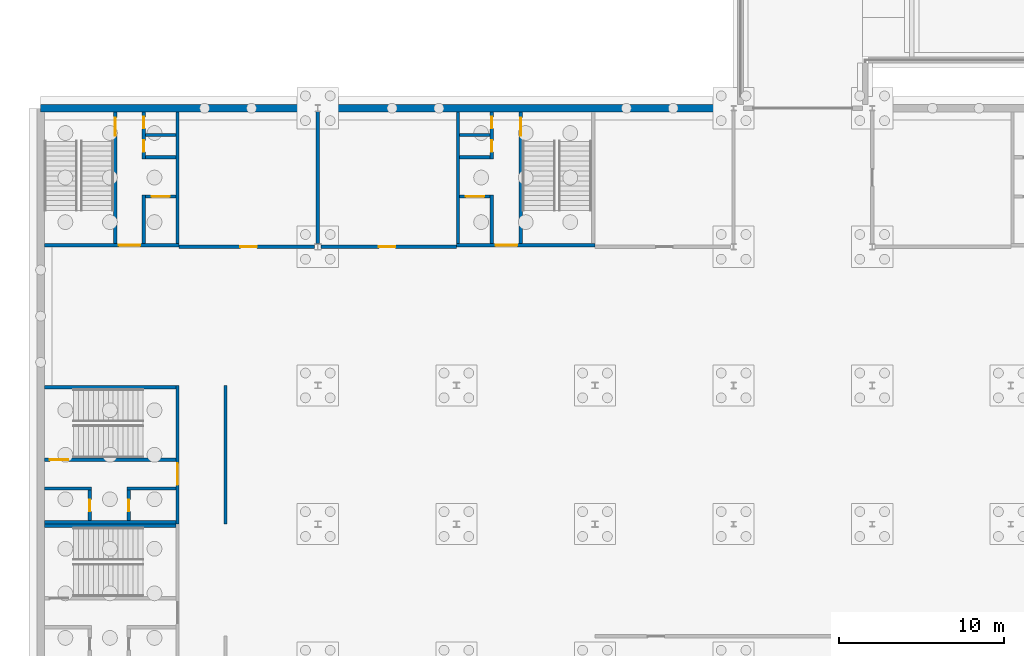
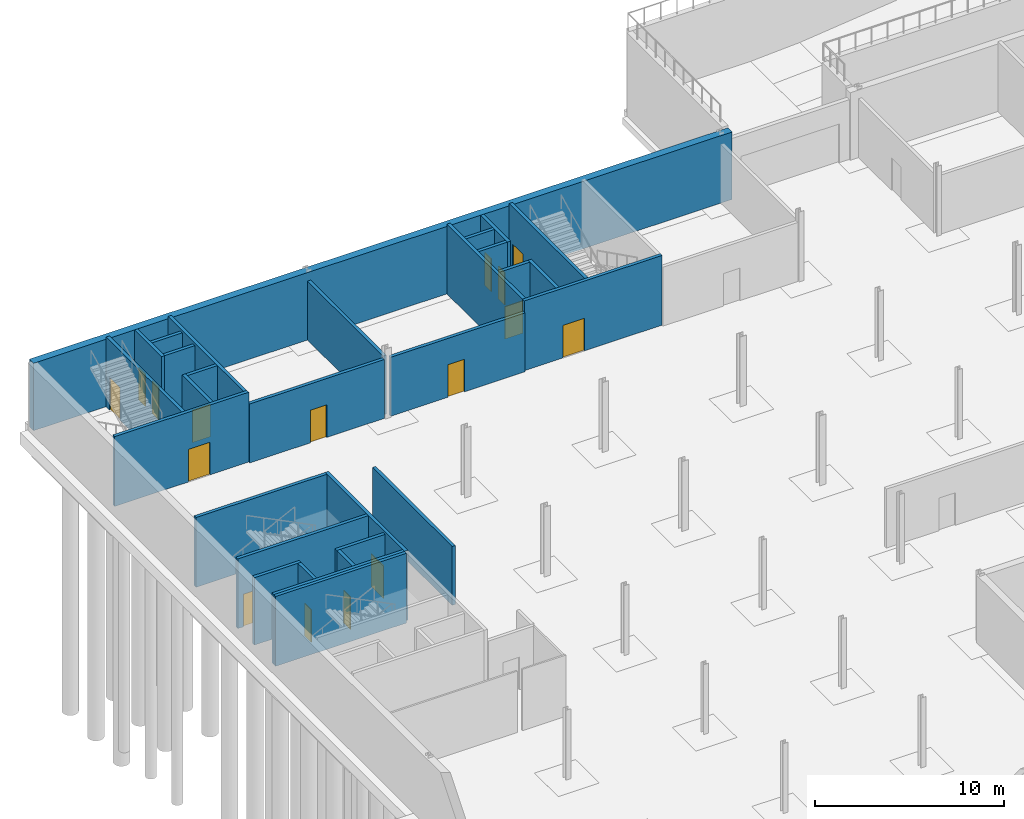
# One storey, part 26 of 35: 30 walls, 16 doors, 16 openings.
"""IFC4 building model written with IfcOpenShell, lengths in metres."""

import ifcopenshell
import ifcopenshell.guid

model = None  # the IFC model being written
_history = None  # IfcOwnerHistory: only IFC2X3 demands one
_inside = {}  # id of a spatial element -> (the spatial element, [elements in it])
_under = {}  # id of a project, library or spatial element -> (it, [spatial elements below it])
_declared = {}  # id of a project -> (the project, [libraries it declares])
_typed = {}  # id of a type object -> (the type object, [elements of that type])
_made_of = {}  # id of a material, layer set ... -> (it, [elements and type objects made of it])


def new_model(schema):
    """Start an empty IFC model of exactly this schema.

    Asked for "IFC4X3", IfcOpenShell would pick the latest addendum, in which some entities
    have other attributes; the version numbers below select the first issue.
    IFC2X3 requires an IfcOwnerHistory on every rooted entity: one is made here for all.
    """
    global model, _history
    if schema == "IFC4X3":
        model = ifcopenshell.file(schema_version=(4, 3, 0, 0))
    else:
        model = ifcopenshell.file(schema=schema)
    _inside.clear()
    _under.clear()
    _declared.clear()
    _typed.clear()
    _made_of.clear()
    _history = None
    if model.schema == "IFC2X3":
        org = make("IfcOrganization", Name="unknown")
        user = make(
            "IfcPersonAndOrganization",
            ThePerson=make("IfcPerson", FamilyName="unknown"),
            TheOrganization=org,
        )
        app = make(
            "IfcApplication",
            ApplicationDeveloper=org,
            Version="unknown",
            ApplicationFullName="unknown",
            ApplicationIdentifier="unknown",
        )
        _history = make(
            "IfcOwnerHistory",
            OwningUser=user,
            OwningApplication=app,
            ChangeAction="ADDED",
            CreationDate=0,
        )
    return model


def make(cls, **values):
    """One entity of the class cls with the attributes given. An attribute that is None is left unset."""
    return model.create_entity(
        cls, **{name: value for name, value in values.items() if value is not None}
    )


def rooted(cls, **values):
    """An entity with a GlobalId (a new one), such as an element, a storey or a relation."""
    return make(cls, GlobalId=ifcopenshell.guid.new(), OwnerHistory=_history, **values)


def si_unit(unit_type, name, prefix=None):
    """IfcSIUnit, for example si_unit("LENGTHUNIT", "METRE", prefix="MILLI")."""
    return make("IfcSIUnit", UnitType=unit_type, Prefix=prefix, Name=name)


def assignment(units):
    """IfcUnitAssignment: the units of a project."""
    return None if units is None else make("IfcUnitAssignment", Units=units)


def point(xyz):
    """IfcCartesianPoint."""
    return None if xyz is None else make("IfcCartesianPoint", Coordinates=xyz)


def direction(xyz):
    """IfcDirection."""
    return None if xyz is None else make("IfcDirection", DirectionRatios=xyz)


def frame(location, z_axis=None, x_axis=None):
    """IfcAxis2Placement3D, a coordinate frame: its origin and axes. An axis left out is left unset."""
    return make(
        "IfcAxis2Placement3D",
        Location=point(location),
        Axis=direction(z_axis),
        RefDirection=direction(x_axis),
    )


def frame_2d(location, x_axis=None):
    """IfcAxis2Placement2D, a coordinate frame in the plane: its origin and x axis."""
    return make(
        "IfcAxis2Placement2D", Location=point(location), RefDirection=direction(x_axis)
    )


def origin():
    """The frame at (0, 0, 0) with its axes left unset."""
    return frame((0.0, 0.0, 0.0))


def place(relative_to, where):
    """IfcLocalPlacement: puts the frame where relative to a parent placement (None: the world)."""
    return make(
        "IfcLocalPlacement", PlacementRelTo=relative_to, RelativePlacement=where
    )


def context(
    kind, dimensions, precision=None, world=None, true_north=None, identifier=None
):
    """IfcGeometricRepresentationContext, for example the 3D "Model" context."""
    return make(
        "IfcGeometricRepresentationContext",
        ContextIdentifier=identifier,
        ContextType=kind,
        CoordinateSpaceDimension=dimensions,
        Precision=precision,
        WorldCoordinateSystem=world,
        TrueNorth=true_north,
    )


def subcontext(parent, identifier, kind, view, scale=None):
    """IfcGeometricRepresentationSubContext, for example "Body" below "Model"."""
    return make(
        "IfcGeometricRepresentationSubContext",
        ContextIdentifier=identifier,
        ContextType=kind,
        ParentContext=parent,
        TargetScale=scale,
        TargetView=view,
    )


def project(units=None, contexts=None):
    """IfcProject with its units and contexts."""
    return rooted(
        "IfcProject",
        Name="project",
        RepresentationContexts=contexts,
        UnitsInContext=assignment(units),
    )


def spatial(cls, under=None, at=None, **own):
    """A site, building, storey or space (cls), placed at a placement, below another one or the project."""
    s = rooted(cls, ObjectPlacement=at, **own)
    if under is not None:
        _under.setdefault(under.id(), (under, []))[1].append(s)
    return s


def profile(cls, at=None, kind="AREA", **sizes):
    """A parametric profile (cls). Its sizes go by their IFC names, for example OverallWidth=200.0."""
    return make(cls, ProfileType=kind, Position=at, **sizes)


def rectangle(**sizes):
    """IfcRectangleProfileDef."""
    return profile("IfcRectangleProfileDef", **sizes)


def extrude(swept, where, along, depth):
    """IfcExtrudedAreaSolid: the profile swept, set in the frame where, extruded along a direction by depth."""
    return make(
        "IfcExtrudedAreaSolid",
        SweptArea=swept,
        Position=where,
        ExtrudedDirection=direction(along),
        Depth=depth,
    )


def shape(context_of_items, identifier, shape_type, items):
    """IfcShapeRepresentation: the items that make up one representation, for example the "Body"."""
    return make(
        "IfcShapeRepresentation",
        ContextOfItems=context_of_items,
        RepresentationIdentifier=identifier,
        RepresentationType=shape_type,
        Items=items,
    )


def material(Name=None, Category=None):
    """IfcMaterial."""
    return make("IfcMaterial", Name=Name, Category=Category)


def layer(
    of_material, thickness, ventilated=None, Name=None, Category=None, Priority=None
):
    """IfcMaterialLayer: one layer of a wall or slab, of a material (None: an air gap)."""
    return make(
        "IfcMaterialLayer",
        Material=of_material,
        LayerThickness=thickness,
        IsVentilated=ventilated,
        Name=Name,
        Category=Category,
        Priority=Priority,
    )


def layer_set(layers, Name=None):
    """IfcMaterialLayerSet."""
    return make("IfcMaterialLayerSet", MaterialLayers=layers, LayerSetName=Name)


def made_of(thing, what):
    """Note that an element or type object is made of a material, layer set ...; save() writes the relation."""
    if what is not None:
        _made_of.setdefault(what.id(), (what, []))[1].append(thing)
    return thing


def type_object(cls, material=None, **own):
    """A type object (cls), such as IfcWallType, which elements share."""
    return made_of(rooted(cls, **own), material)


def element(
    cls,
    number,
    at=None,
    inside=None,
    cuts=None,
    type_object=None,
    material=None,
    context=None,
    identifier="Body",
    shape_type=None,
    held_by="IfcProductDefinitionShape",
    body=None,
    shapes=None,
    **own,
):
    """One element of the class cls, such as IfcWall. Its Tag is "e" and its number.

    at: its placement. inside: the storey or other place that contains it. cuts: it is an
    opening in that element (IfcRelVoidsElement). A single representation is given by context,
    identifier, shape_type and body (its items); several are given by shapes. held_by: the class
    of the entity that holds the representations. save() writes the other relations.
    """
    e = rooted(cls, Tag="e%d" % number, ObjectPlacement=at, **own)
    if body is not None:
        shapes = [shape(context, identifier, shape_type, body)]
    if shapes is not None:
        e.Representation = make(held_by, Representations=shapes)
    if inside is not None:
        _inside.setdefault(inside.id(), (inside, []))[1].append(e)
    if cuts is not None:
        rooted(
            "IfcRelVoidsElement", RelatingBuildingElement=cuts, RelatedOpeningElement=e
        )
    if type_object is not None:
        _typed.setdefault(type_object.id(), (type_object, []))[1].append(e)
    return made_of(e, material)


def fill(opening, filler):
    """IfcRelFillsElement: the door or window that sits in an opening."""
    return rooted(
        "IfcRelFillsElement",
        RelatingOpeningElement=opening,
        RelatedBuildingElement=filler,
    )


def aggregate(whole, parts):
    """IfcRelAggregates: a whole, such as a stair, and the parts it consists of."""
    return rooted("IfcRelAggregates", RelatingObject=whole, RelatedObjects=parts)


def save(model, path):
    """Write the relations noted so far, then the file.

    IfcRelAggregates (storeys below a building ...), IfcRelContainedInSpatialStructure (elements
    in a storey), IfcRelDefinesByType, IfcRelAssociatesMaterial and IfcRelDeclares: one each for
    every whole, place, type object, material and project.
    """
    for whole, parts in _under.values():
        aggregate(whole, parts)
    for where, things in _inside.values():
        rooted(
            "IfcRelContainedInSpatialStructure",
            RelatedElements=things,
            RelatingStructure=where,
        )
    for kind, things in _typed.values():
        rooted("IfcRelDefinesByType", RelatedObjects=things, RelatingType=kind)
    for what, things in _made_of.values():
        rooted("IfcRelAssociatesMaterial", RelatedObjects=things, RelatingMaterial=what)
    for by, libraries in _declared.values():
        rooted("IfcRelDeclares", RelatingContext=by, RelatedDefinitions=libraries)
    model.write(path)


model = new_model("IFC4")

# Units and contexts
model_context = context("Model", 3, precision=1e-05, world=origin(), true_north=direction((0.0, 1.0)))
body_context = subcontext(model_context, "Body", "Model", "MODEL_VIEW")
ifc_project = project(units=[si_unit("LENGTHUNIT", "METRE"), si_unit("AREAUNIT", "SQUARE_METRE"), si_unit("VOLUMEUNIT", "CUBIC_METRE"), si_unit("PLANEANGLEUNIT", "RADIAN"), si_unit("MASSUNIT", "GRAM", prefix="KILO")], contexts=[model_context])

# Site, building, storey
site_placement = place(None, origin())
site = spatial("IfcSite", under=ifc_project, at=site_placement, CompositionType="ELEMENT")
building_placement = place(site_placement, origin())
building = spatial("IfcBuilding", under=site, at=building_placement, Name="Ardhachandra Cancer Care Centre", CompositionType="ELEMENT")
storey_placement = place(building_placement, frame((0.0, 0.0, -4.5)))
storey = spatial("IfcBuildingStorey", under=building, at=storey_placement, Name="B1", CompositionType="ELEMENT", Elevation=-4.5)

# Wall, opening, door
ifc_material_1 = material(Name="Gypsum board corridor partition on steel studs", Category="steel")
ifc_layer_1 = layer(ifc_material_1, 0.199951171875)
ifc_layer_set_1 = layer_set([ifc_layer_1], Name="Gypsum board corridor partition on steel studs")
wall_type_1 = type_object("IfcWallType", Name="CORRIDOR WALL 200", PredefinedType="PARTITIONING", material=ifc_layer_set_1)
wall_1_placement = place(storey_placement, frame((27.79541015625, 88.199951171875, 0.0), z_axis=(0.0, 0.0, 1.0), x_axis=(1.0, 0.0, 0.0)))
wall_1 = element("IfcWall", 1, at=wall_1_placement, inside=storey, type_object=wall_type_1, Name="R/wall/B1/h0088200_0027796", PredefinedType="PARTITIONING", context=body_context, shape_type="SweptSolid", body=[
    extrude(rectangle(XDim=8.20458984375, YDim=0.199951171875, at=frame_2d((4.102294921875, 0.0))), origin(), (0.0, 0.0, 1.0), 3.800048828125),
])
opening_1_placement = place(wall_1_placement, frame((3.50439453125, 0.0, 0.0)))
opening_1 = element("IfcOpeningElement", 2, at=opening_1_placement, cuts=wall_1, Name="Opening B1-0011", PredefinedType="OPENING", context=body_context, shape_type="SweptSolid", body=[
    extrude(rectangle(XDim=1.0, YDim=2.10009765625, at=frame_2d((0.5, 1.050048828125))), frame((0.0, 0.10986328125, 0.0), z_axis=(0.0, -1.0, 0.0), x_axis=(1.0, 0.0, 0.0)), (0.0, 0.0, 1.0), 0.219970703125),
])
ifc_material_2 = material(Name="Timber fire door with smoke seals", Category="wood")
door_type_1 = type_object("IfcDoorType", Name="FIRE DOOR SINGLE 1000x2100 FD30S", OperationType="NOTDEFINED", PredefinedType="DOOR", material=ifc_material_2)
door_1_placement = place(opening_1_placement, origin())
door_1 = element("IfcDoor", 3, at=door_1_placement, inside=storey, type_object=door_type_1, Name="Door B1-0011", OperationType="SINGLE_SWING_LEFT", OverallHeight=2.10009765625, OverallWidth=1.0, PredefinedType="DOOR", context=body_context, shape_type="SweptSolid", body=[
    extrude(rectangle(XDim=1.0, YDim=2.10009765625, at=frame_2d((0.5, 1.050048828125))), frame((0.0, 0.02490234375, 0.0), z_axis=(0.0, -1.0, 0.0), x_axis=(1.0, 0.0, 0.0)), (0.0, 0.0, 1.0), 0.050048828125),
])
fill(opening_1, door_1)

# Walls
ifc_material_3 = material(Name="Gypsum board corridor partition on steel studs", Category="steel")
ifc_layer_2 = layer(ifc_material_3, 0.199951171875)
ifc_layer_set_2 = layer_set([ifc_layer_2], Name="Gypsum board corridor partition on steel studs")
wall_type_2 = type_object("IfcWallType", Name="CORRIDOR WALL 200 EI 120", PredefinedType="PARTITIONING", material=ifc_layer_set_2)
wall_2_placement = place(storey_placement, frame((22.0, 71.39990234375, 0.0), z_axis=(0.0, 0.0, 1.0), x_axis=(0.0, 1.0, 0.0)))
element("IfcWall", 4, at=wall_2_placement, inside=storey, type_object=wall_type_2, Name="R/wall/B1/v0022000_0071400", PredefinedType="PARTITIONING", context=body_context, shape_type="SweptSolid", body=[
    extrude(rectangle(XDim=8.400146484375, YDim=0.199951171875, at=frame_2d((4.2001953125, 0.0))), origin(), (0.0, 0.0, 1.0), 3.800048828125),
])
ifc_material_4 = material(Name="Concrete M40", Category="concrete")
ifc_layer_3 = layer(ifc_material_4, 0.199951171875)
ifc_layer_set_3 = layer_set([ifc_layer_3], Name="Concrete M40")
wall_type_3 = type_object("IfcWallType", Name="Core wall RC 200", PredefinedType="SOLIDWALL", material=ifc_layer_set_3)
wall_3_placement = place(storey_placement, frame((19.0, 71.300048828125, 0.0), z_axis=(0.0, 0.0, 1.0), x_axis=(-1.0, 0.0, 0.0)))
element("IfcWall", 5, at=wall_3_placement, inside=storey, type_object=wall_type_3, Name="Core wall K3 UW", PredefinedType="SOLIDWALL", context=body_context, shape_type="SweptSolid", body=[
    extrude(rectangle(XDim=7.97509765625, YDim=0.199951171875, at=frame_2d((3.987548828125, 0.0))), origin(), (0.0, 0.0, 1.0), 4.5),
])

# Wall, opening, door
wall_4_placement = place(storey_placement, frame((11.02490234375, 88.300048828125, 0.0), z_axis=(0.0, 0.0, 1.0), x_axis=(1.0, 0.0, 0.0)))
wall_4 = element("IfcWall", 6, at=wall_4_placement, inside=storey, type_object=wall_type_3, Name="Core wall K4 ENT", PredefinedType="SOLIDWALL", context=body_context, shape_type="SweptSolid", body=[
    extrude(rectangle(XDim=8.175048828125, YDim=0.199951171875, at=frame_2d((4.08740234375, 0.0))), origin(), (0.0, 0.0, 1.0), 4.5),
])
opening_2_placement = place(wall_4_placement, frame((4.512451171875, 0.0, 0.0)))
opening_2 = element("IfcOpeningElement", 7, at=opening_2_placement, cuts=wall_4, Name="Opening B1-K04-1", PredefinedType="OPENING", context=body_context, shape_type="SweptSolid", body=[
    extrude(rectangle(XDim=1.300048828125, YDim=2.10009765625, at=frame_2d((0.64990234375, 1.050048828125))), frame((0.0, 0.10986328125, 0.0), z_axis=(0.0, -1.0, 0.0), x_axis=(1.0, 0.0, 0.0)), (0.0, 0.0, 1.0), 0.219970703125),
])
ifc_material_5 = material(Name="Steel door set", Category="steel")
door_type_2 = type_object("IfcDoorType", Name="Core entry double door 1300x2100 FD60", OperationType="DOUBLE_DOOR_DOUBLE_SWING", PredefinedType="DOOR", material=ifc_material_5)
door_2_placement = place(opening_2_placement, origin())
door_2 = element("IfcDoor", 8, at=door_2_placement, inside=storey, type_object=door_type_2, Name="Core entry door", OperationType="DOUBLE_DOOR_DOUBLE_SWING", OverallHeight=2.10009765625, OverallWidth=1.300048828125, PredefinedType="DOOR", context=body_context, shape_type="SweptSolid", body=[
    extrude(rectangle(XDim=1.300048828125, YDim=2.10009765625, at=frame_2d((0.64990234375, 1.050048828125))), frame((0.0, 0.02490234375, 0.0), z_axis=(0.0, -1.0, 0.0), x_axis=(1.0, 0.0, 0.0)), (0.0, 0.0, 1.0), 0.050048828125),
])
fill(opening_2, door_2)

# Wall
wall_5_placement = place(storey_placement, frame((19.10009765625, 88.39990234375, 0.0), z_axis=(0.0, 0.0, 1.0), x_axis=(0.0, 1.0, 0.0)))
element("IfcWall", 9, at=wall_5_placement, inside=storey, type_object=wall_type_3, Name="Core wall K4 UE", PredefinedType="SOLIDWALL", context=body_context, shape_type="SweptSolid", body=[
    extrude(rectangle(XDim=7.97509765625, YDim=0.199951171875, at=frame_2d((3.987548828125, 0.0))), origin(), (0.0, 0.0, 1.0), 4.5),
])

# Wall, opening, door
wall_6_placement = place(storey_placement, frame((15.324951171875, 88.39990234375, 0.0), z_axis=(0.0, 0.0, 1.0), x_axis=(0.0, 1.0, 0.0)))
wall_6 = element("IfcWall", 10, at=wall_6_placement, inside=storey, type_object=wall_type_3, Name="Core wall K4 P1", PredefinedType="SOLIDWALL", context=body_context, shape_type="SweptSolid", body=[
    extrude(rectangle(XDim=7.97509765625, YDim=0.199951171875, at=frame_2d((3.987548828125, 0.0))), origin(), (0.0, 0.0, 1.0), 4.5),
])
opening_3_placement = place(wall_6_placement, frame((6.53759765625, 0.0, 0.0)))
opening_3 = element("IfcOpeningElement", 11, at=opening_3_placement, cuts=wall_6, Name="Opening B1-K04-2", PredefinedType="OPENING", context=body_context, shape_type="SweptSolid", body=[
    extrude(rectangle(XDim=1.10009765625, YDim=2.10009765625, at=frame_2d((0.550048828125, 1.050048828125))), frame((0.0, 0.10986328125, 0.0), z_axis=(0.0, -1.0, 0.0), x_axis=(1.0, 0.0, 0.0)), (0.0, 0.0, 1.0), 0.219970703125),
])
ifc_material_6 = material(Name="Steel door set", Category="steel")
door_type_3 = type_object("IfcDoorType", Name="Stair door 1100x2100 FD60S", OperationType="NOTDEFINED", PredefinedType="DOOR", material=ifc_material_6)
door_3_placement = place(opening_3_placement, origin())
door_3 = element("IfcDoor", 12, at=door_3_placement, inside=storey, type_object=door_type_3, Name="Stair door", OperationType="SINGLE_SWING_RIGHT", OverallHeight=2.10009765625, OverallWidth=1.10009765625, PredefinedType="DOOR", context=body_context, shape_type="SweptSolid", body=[
    extrude(rectangle(XDim=1.10009765625, YDim=2.10009765625, at=frame_2d((0.550048828125, 1.050048828125))), frame((0.0, 0.02490234375, 0.0), z_axis=(0.0, -1.0, 0.0), x_axis=(1.0, 0.0, 0.0)), (0.0, 0.0, 1.0), 0.050048828125),
])
fill(opening_3, door_3)

# Wall
wall_7_placement = place(storey_placement, frame((17.050048828125, 88.39990234375, 0.0), z_axis=(0.0, 0.0, 1.0), x_axis=(0.0, 1.0, 0.0)))
element("IfcWall", 13, at=wall_7_placement, inside=storey, type_object=wall_type_3, Name="Core wall K4 P2A", PredefinedType="SOLIDWALL", context=body_context, shape_type="SweptSolid", body=[
    extrude(rectangle(XDim=2.9501953125, YDim=0.199951171875, at=frame_2d((1.47509765625, 0.0))), origin(), (0.0, 0.0, 1.0), 4.5),
])

# Wall, openings, doors
wall_8_placement = place(storey_placement, frame((17.050048828125, 93.52490234375, 0.0), z_axis=(0.0, 0.0, 1.0), x_axis=(0.0, 1.0, 0.0)))
wall_8 = element("IfcWall", 14, at=wall_8_placement, inside=storey, type_object=wall_type_3, Name="Core wall K4 P2B", PredefinedType="SOLIDWALL", context=body_context, shape_type="SweptSolid", body=[
    extrude(rectangle(XDim=2.85009765625, YDim=0.199951171875, at=frame_2d((1.425048828125, 0.0))), origin(), (0.0, 0.0, 1.0), 4.35009765625),
])
opening_4_placement = place(wall_8_placement, frame((0.425048828125, 0.0, 0.0)))
opening_4 = element("IfcOpeningElement", 15, at=opening_4_placement, cuts=wall_8, Name="Opening B1-K04-4", PredefinedType="OPENING", context=body_context, shape_type="SweptSolid", body=[
    extrude(rectangle(XDim=0.699951171875, YDim=2.10009765625, at=frame_2d((0.35009765625, 1.050048828125))), frame((0.0, 0.10986328125, 0.0), z_axis=(0.0, -1.0, 0.0), x_axis=(1.0, 0.0, 0.0)), (0.0, 0.0, 1.0), 0.219970703125),
])
opening_5_placement = place(wall_8_placement, frame((1.85009765625, 0.0, 0.0)))
opening_5 = element("IfcOpeningElement", 16, at=opening_5_placement, cuts=wall_8, Name="Opening B1-K04-5", PredefinedType="OPENING", context=body_context, shape_type="SweptSolid", body=[
    extrude(rectangle(XDim=0.699951171875, YDim=2.10009765625, at=frame_2d((0.35009765625, 1.050048828125))), frame((0.0, 0.10986328125, 0.0), z_axis=(0.0, -1.0, 0.0), x_axis=(1.0, 0.0, 0.0)), (0.0, 0.0, 1.0), 0.219970703125),
])
ifc_material_7 = material(Name="Steel door set", Category="steel")
door_type_4 = type_object("IfcDoorType", Name="Riser access door 700x2100 FD120S", OperationType="NOTDEFINED", PredefinedType="DOOR", material=ifc_material_7)
door_4_placement = place(opening_4_placement, origin())
door_4 = element("IfcDoor", 17, at=door_4_placement, inside=storey, type_object=door_type_4, Name="Riser access door", OperationType="SINGLE_SWING_LEFT", OverallHeight=2.10009765625, OverallWidth=0.699951171875, PredefinedType="DOOR", context=body_context, shape_type="SweptSolid", body=[
    extrude(rectangle(XDim=0.699951171875, YDim=2.10009765625, at=frame_2d((0.35009765625, 1.050048828125))), frame((0.0, 0.02490234375, 0.0), z_axis=(0.0, -1.0, 0.0), x_axis=(1.0, 0.0, 0.0)), (0.0, 0.0, 1.0), 0.050048828125),
])
fill(opening_4, door_4)
door_5_placement = place(opening_5_placement, origin())
door_5 = element("IfcDoor", 18, at=door_5_placement, inside=storey, type_object=door_type_4, Name="Riser access door", OperationType="SINGLE_SWING_RIGHT", OverallHeight=2.10009765625, OverallWidth=0.699951171875, PredefinedType="DOOR", context=body_context, shape_type="SweptSolid", body=[
    extrude(rectangle(XDim=0.699951171875, YDim=2.10009765625, at=frame_2d((0.35009765625, 1.050048828125))), frame((0.0, 0.02490234375, 0.0), z_axis=(0.0, -1.0, 0.0), x_axis=(1.0, 0.0, 0.0)), (0.0, 0.0, 1.0), 0.050048828125),
])
fill(opening_5, door_5)

# Wall, opening, door
wall_9_placement = place(storey_placement, frame((17.14990234375, 91.25, 0.0), z_axis=(0.0, 0.0, 1.0), x_axis=(1.0, 0.0, 0.0)))
wall_9 = element("IfcWall", 19, at=wall_9_placement, inside=storey, type_object=wall_type_3, Name="Core wall K4 W1", PredefinedType="SOLIDWALL", context=body_context, shape_type="SweptSolid", body=[
    extrude(rectangle(XDim=1.85009765625, YDim=0.199951171875, at=frame_2d((0.925048828125, 0.0))), origin(), (0.0, 0.0, 1.0), 4.5),
])
opening_6_placement = place(wall_9_placement, frame((0.375, 0.0, 0.0)))
opening_6 = element("IfcOpeningElement", 20, at=opening_6_placement, cuts=wall_9, Name="Opening B1-K04-3", PredefinedType="OPENING", context=body_context, shape_type="SweptSolid", body=[
    extrude(rectangle(XDim=1.10009765625, YDim=2.10009765625, at=frame_2d((0.550048828125, 1.050048828125))), frame((0.0, 0.10986328125, 0.0), z_axis=(0.0, -1.0, 0.0), x_axis=(1.0, 0.0, 0.0)), (0.0, 0.0, 1.0), 0.219970703125),
])
ifc_material_8 = material(Name="Stainless steel (grade 304)", Category="steel")
door_type_5 = type_object("IfcDoorType", Name="Lift landing door 1100x2100", OperationType="DOUBLE_DOOR_SLIDING", PredefinedType="DOOR", material=ifc_material_8)
door_6_placement = place(opening_6_placement, origin())
door_6 = element("IfcDoor", 21, at=door_6_placement, inside=storey, type_object=door_type_5, Name="Lift landing door LF-K4-1", OperationType="DOUBLE_DOOR_SLIDING", OverallHeight=2.10009765625, OverallWidth=1.10009765625, PredefinedType="DOOR", context=body_context, shape_type="SweptSolid", body=[
    extrude(rectangle(XDim=1.10009765625, YDim=2.10009765625, at=frame_2d((0.550048828125, 1.050048828125))), frame((0.0, 0.02490234375, 0.0), z_axis=(0.0, -1.0, 0.0), x_axis=(1.0, 0.0, 0.0)), (0.0, 0.0, 1.0), 0.050048828125),
])
fill(opening_6, door_6)

# Walls
for number, where, z_axis, x_axis, name in (
    (22, (17.14990234375, 93.625, 0.0), (0.0, 0.0, 1.0), (1.0, 0.0, 0.0), "Core wall K4 W2"),
    (23, (17.14990234375, 94.97509765625, 0.0), (0.0, 0.0, 1.0), (1.0, 0.0, 0.0), "Core wall K4 DIV"),
):
    element("IfcWall", number, at=place(storey_placement, frame(where, z_axis=z_axis, x_axis=x_axis)), inside=storey, type_object=wall_type_3, Name=name, PredefinedType="SOLIDWALL", context=body_context, shape_type="SweptSolid", body=[
        extrude(rectangle(XDim=1.85009765625, YDim=0.199951171875, at=frame_2d((0.925048828125, 0.0))), origin(), (0.0, 0.0, 1.0), 4.35009765625),
    ])

# Wall, opening, door
wall_10_placement = place(storey_placement, frame((44.39990234375, 88.300048828125, 0.0), z_axis=(0.0, 0.0, 1.0), x_axis=(-1.0, 0.0, 0.0)))
wall_10 = element("IfcWall", 24, at=wall_10_placement, inside=storey, type_object=wall_type_3, Name="Core wall K5 ENT", PredefinedType="SOLIDWALL", context=body_context, shape_type="SweptSolid", body=[
    extrude(rectangle(XDim=8.39990234375, YDim=0.199951171875, at=frame_2d((4.199951171875, 0.0))), origin(), (0.0, 0.0, 1.0), 4.5),
])
opening_7_placement = place(wall_10_placement, frame((4.72509765625, 0.0, 0.0)))
opening_7 = element("IfcOpeningElement", 25, at=opening_7_placement, cuts=wall_10, Name="Opening B1-K05-1", PredefinedType="OPENING", context=body_context, shape_type="SweptSolid", body=[
    extrude(rectangle(XDim=1.300048828125, YDim=2.10009765625, at=frame_2d((0.64990234375, 1.050048828125))), frame((0.0, 0.10986328125, 0.0), z_axis=(0.0, -1.0, 0.0), x_axis=(1.0, 0.0, 0.0)), (0.0, 0.0, 1.0), 0.219970703125),
])
door_7_placement = place(opening_7_placement, origin())
door_7 = element("IfcDoor", 26, at=door_7_placement, inside=storey, type_object=door_type_2, Name="Core entry door", OperationType="DOUBLE_DOOR_DOUBLE_SWING", OverallHeight=2.10009765625, OverallWidth=1.300048828125, PredefinedType="DOOR", context=body_context, shape_type="SweptSolid", body=[
    extrude(rectangle(XDim=1.300048828125, YDim=2.10009765625, at=frame_2d((0.64990234375, 1.050048828125))), frame((0.0, 0.02490234375, 0.0), z_axis=(0.0, -1.0, 0.0), x_axis=(1.0, 0.0, 0.0)), (0.0, 0.0, 1.0), 0.050048828125),
])
fill(opening_7, door_7)

# Wall
wall_11_placement = place(storey_placement, frame((36.10009765625, 88.39990234375, 0.0), z_axis=(0.0, 0.0, 1.0), x_axis=(0.0, 1.0, 0.0)))
element("IfcWall", 27, at=wall_11_placement, inside=storey, type_object=wall_type_3, Name="Core wall K5 UE", PredefinedType="SOLIDWALL", context=body_context, shape_type="SweptSolid", body=[
    extrude(rectangle(XDim=7.97509765625, YDim=0.199951171875, at=frame_2d((3.987548828125, 0.0))), origin(), (0.0, 0.0, 1.0), 4.5),
])

# Wall, opening, door
wall_12_placement = place(storey_placement, frame((39.89990234375, 88.39990234375, 0.0), z_axis=(0.0, 0.0, 1.0), x_axis=(0.0, 1.0, 0.0)))
wall_12 = element("IfcWall", 28, at=wall_12_placement, inside=storey, type_object=wall_type_3, Name="Core wall K5 P1", PredefinedType="SOLIDWALL", context=body_context, shape_type="SweptSolid", body=[
    extrude(rectangle(XDim=7.97509765625, YDim=0.199951171875, at=frame_2d((3.987548828125, 0.0))), origin(), (0.0, 0.0, 1.0), 4.5),
])
opening_8_placement = place(wall_12_placement, frame((6.53759765625, 0.0, 0.0)))
opening_8 = element("IfcOpeningElement", 29, at=opening_8_placement, cuts=wall_12, Name="Opening B1-K05-2", PredefinedType="OPENING", context=body_context, shape_type="SweptSolid", body=[
    extrude(rectangle(XDim=1.10009765625, YDim=2.10009765625, at=frame_2d((0.550048828125, 1.050048828125))), frame((0.0, 0.10986328125, 0.0), z_axis=(0.0, -1.0, 0.0), x_axis=(1.0, 0.0, 0.0)), (0.0, 0.0, 1.0), 0.219970703125),
])
door_8_placement = place(opening_8_placement, origin())
door_8 = element("IfcDoor", 30, at=door_8_placement, inside=storey, type_object=door_type_3, Name="Stair door", OperationType="SINGLE_SWING_LEFT", OverallHeight=2.10009765625, OverallWidth=1.10009765625, PredefinedType="DOOR", context=body_context, shape_type="SweptSolid", body=[
    extrude(rectangle(XDim=1.10009765625, YDim=2.10009765625, at=frame_2d((0.550048828125, 1.050048828125))), frame((0.0, 0.02490234375, 0.0), z_axis=(0.0, -1.0, 0.0), x_axis=(1.0, 0.0, 0.0)), (0.0, 0.0, 1.0), 0.050048828125),
])
fill(opening_8, door_8)

# Wall
wall_13_placement = place(storey_placement, frame((38.14990234375, 88.39990234375, 0.0), z_axis=(0.0, 0.0, 1.0), x_axis=(0.0, 1.0, 0.0)))
element("IfcWall", 31, at=wall_13_placement, inside=storey, type_object=wall_type_3, Name="Core wall K5 P2A", PredefinedType="SOLIDWALL", context=body_context, shape_type="SweptSolid", body=[
    extrude(rectangle(XDim=2.9501953125, YDim=0.199951171875, at=frame_2d((1.47509765625, 0.0))), origin(), (0.0, 0.0, 1.0), 4.5),
])

# Wall, openings, doors
wall_14_placement = place(storey_placement, frame((38.14990234375, 93.52490234375, 0.0), z_axis=(0.0, 0.0, 1.0), x_axis=(0.0, 1.0, 0.0)))
wall_14 = element("IfcWall", 32, at=wall_14_placement, inside=storey, type_object=wall_type_3, Name="Core wall K5 P2B", PredefinedType="SOLIDWALL", context=body_context, shape_type="SweptSolid", body=[
    extrude(rectangle(XDim=2.85009765625, YDim=0.199951171875, at=frame_2d((1.425048828125, 0.0))), origin(), (0.0, 0.0, 1.0), 4.35009765625),
])
opening_9_placement = place(wall_14_placement, frame((0.425048828125, 0.0, 0.0)))
opening_9 = element("IfcOpeningElement", 33, at=opening_9_placement, cuts=wall_14, Name="Opening B1-K05-4", PredefinedType="OPENING", context=body_context, shape_type="SweptSolid", body=[
    extrude(rectangle(XDim=0.699951171875, YDim=2.10009765625, at=frame_2d((0.35009765625, 1.050048828125))), frame((0.0, 0.10986328125, 0.0), z_axis=(0.0, -1.0, 0.0), x_axis=(1.0, 0.0, 0.0)), (0.0, 0.0, 1.0), 0.219970703125),
])
opening_10_placement = place(wall_14_placement, frame((1.85009765625, 0.0, 0.0)))
opening_10 = element("IfcOpeningElement", 34, at=opening_10_placement, cuts=wall_14, Name="Opening B1-K05-5", PredefinedType="OPENING", context=body_context, shape_type="SweptSolid", body=[
    extrude(rectangle(XDim=0.699951171875, YDim=2.10009765625, at=frame_2d((0.35009765625, 1.050048828125))), frame((0.0, 0.10986328125, 0.0), z_axis=(0.0, -1.0, 0.0), x_axis=(1.0, 0.0, 0.0)), (0.0, 0.0, 1.0), 0.219970703125),
])
door_9_placement = place(opening_9_placement, origin())
door_9 = element("IfcDoor", 35, at=door_9_placement, inside=storey, type_object=door_type_4, Name="Riser access door", OperationType="SINGLE_SWING_RIGHT", OverallHeight=2.10009765625, OverallWidth=0.699951171875, PredefinedType="DOOR", context=body_context, shape_type="SweptSolid", body=[
    extrude(rectangle(XDim=0.699951171875, YDim=2.10009765625, at=frame_2d((0.35009765625, 1.050048828125))), frame((0.0, 0.02490234375, 0.0), z_axis=(0.0, -1.0, 0.0), x_axis=(1.0, 0.0, 0.0)), (0.0, 0.0, 1.0), 0.050048828125),
])
fill(opening_9, door_9)
door_10_placement = place(opening_10_placement, origin())
door_10 = element("IfcDoor", 36, at=door_10_placement, inside=storey, type_object=door_type_4, Name="Riser access door", OperationType="SINGLE_SWING_LEFT", OverallHeight=2.10009765625, OverallWidth=0.699951171875, PredefinedType="DOOR", context=body_context, shape_type="SweptSolid", body=[
    extrude(rectangle(XDim=0.699951171875, YDim=2.10009765625, at=frame_2d((0.35009765625, 1.050048828125))), frame((0.0, 0.02490234375, 0.0), z_axis=(0.0, -1.0, 0.0), x_axis=(1.0, 0.0, 0.0)), (0.0, 0.0, 1.0), 0.050048828125),
])
fill(opening_10, door_10)

# Wall, opening, door
wall_15_placement = place(storey_placement, frame((38.050048828125, 91.25, 0.0), z_axis=(0.0, 0.0, 1.0), x_axis=(-1.0, 0.0, 0.0)))
wall_15 = element("IfcWall", 37, at=wall_15_placement, inside=storey, type_object=wall_type_3, Name="Core wall K5 W1", PredefinedType="SOLIDWALL", context=body_context, shape_type="SweptSolid", body=[
    extrude(rectangle(XDim=1.85009765625, YDim=0.199951171875, at=frame_2d((0.925048828125, 0.0))), origin(), (0.0, 0.0, 1.0), 4.5),
])
opening_11_placement = place(wall_15_placement, frame((0.375, 0.0, 0.0)))
opening_11 = element("IfcOpeningElement", 38, at=opening_11_placement, cuts=wall_15, Name="Opening B1-K05-3", PredefinedType="OPENING", context=body_context, shape_type="SweptSolid", body=[
    extrude(rectangle(XDim=1.10009765625, YDim=2.10009765625, at=frame_2d((0.550048828125, 1.050048828125))), frame((0.0, 0.10986328125, 0.0), z_axis=(0.0, -1.0, 0.0), x_axis=(1.0, 0.0, 0.0)), (0.0, 0.0, 1.0), 0.219970703125),
])
door_11_placement = place(opening_11_placement, origin())
door_11 = element("IfcDoor", 39, at=door_11_placement, inside=storey, type_object=door_type_5, Name="Lift landing door LF-K5-1", OperationType="DOUBLE_DOOR_SLIDING", OverallHeight=2.10009765625, OverallWidth=1.10009765625, PredefinedType="DOOR", context=body_context, shape_type="SweptSolid", body=[
    extrude(rectangle(XDim=1.10009765625, YDim=2.10009765625, at=frame_2d((0.550048828125, 1.050048828125))), frame((0.0, 0.02490234375, 0.0), z_axis=(0.0, -1.0, 0.0), x_axis=(1.0, 0.0, 0.0)), (0.0, 0.0, 1.0), 0.050048828125),
])
fill(opening_11, door_11)

# Walls
for number, where, z_axis, x_axis, name in (
    (40, (38.050048828125, 93.625, 0.0), (0.0, 0.0, 1.0), (-1.0, 0.0, 0.0), "Core wall K5 W2"),
    (41, (38.050048828125, 94.97509765625, 0.0), (0.0, 0.0, 1.0), (-1.0, 0.0, 0.0), "Core wall K5 DIV"),
):
    element("IfcWall", number, at=place(storey_placement, frame(where, z_axis=z_axis, x_axis=x_axis)), inside=storey, type_object=wall_type_3, Name=name, PredefinedType="SOLIDWALL", context=body_context, shape_type="SweptSolid", body=[
        extrude(rectangle(XDim=1.85009765625, YDim=0.199951171875, at=frame_2d((0.925048828125, 0.0))), origin(), (0.0, 0.0, 1.0), 4.35009765625),
    ])

# Wall, opening, door
wall_16_placement = place(storey_placement, frame((19.10009765625, 79.800048828125, 0.0), z_axis=(0.0, 0.0, 1.0), x_axis=(0.0, -1.0, 0.0)))
wall_16 = element("IfcWall", 42, at=wall_16_placement, inside=storey, type_object=wall_type_3, Name="Core wall K6 ENT", PredefinedType="SOLIDWALL", context=body_context, shape_type="SweptSolid", body=[
    extrude(rectangle(XDim=8.400146484375, YDim=0.199951171875, at=frame_2d((4.2001953125, 0.0))), origin(), (0.0, 0.0, 1.0), 4.5),
])
opening_12_placement = place(wall_16_placement, frame((4.72509765625, 0.0, 0.0)))
opening_12 = element("IfcOpeningElement", 43, at=opening_12_placement, cuts=wall_16, Name="Opening B1-K06-1", PredefinedType="OPENING", context=body_context, shape_type="SweptSolid", body=[
    extrude(rectangle(XDim=1.300048828125, YDim=2.10009765625, at=frame_2d((0.64990234375, 1.050048828125))), frame((0.0, 0.10986328125, 0.0), z_axis=(0.0, -1.0, 0.0), x_axis=(1.0, 0.0, 0.0)), (0.0, 0.0, 1.0), 0.219970703125),
])
door_12_placement = place(opening_12_placement, origin())
door_12 = element("IfcDoor", 44, at=door_12_placement, inside=storey, type_object=door_type_2, Name="Core entry door", OperationType="DOUBLE_DOOR_DOUBLE_SWING", OverallHeight=2.10009765625, OverallWidth=1.300048828125, PredefinedType="DOOR", context=body_context, shape_type="SweptSolid", body=[
    extrude(rectangle(XDim=1.300048828125, YDim=2.10009765625, at=frame_2d((0.64990234375, 1.050048828125))), frame((0.0, 0.02490234375, 0.0), z_axis=(0.0, -1.0, 0.0), x_axis=(1.0, 0.0, 0.0)), (0.0, 0.0, 1.0), 0.050048828125),
])
fill(opening_12, door_12)

# Walls
for number, where, z_axis, x_axis, name in (
    (45, (19.0, 79.699951171875, 0.0), (0.0, 0.0, 1.0), (-1.0, 0.0, 0.0), "Core wall K6 UW"),
    (46, (19.0, 71.5, 0.0), (0.0, 0.0, 1.0), (-1.0, 0.0, 0.0), "Core wall K6 UE"),
):
    element("IfcWall", number, at=place(storey_placement, frame(where, z_axis=z_axis, x_axis=x_axis)), inside=storey, type_object=wall_type_3, Name=name, PredefinedType="SOLIDWALL", context=body_context, shape_type="SweptSolid", body=[
        extrude(rectangle(XDim=7.97509765625, YDim=0.199951171875, at=frame_2d((3.987548828125, 0.0))), origin(), (0.0, 0.0, 1.0), 4.5),
    ])

# Wall, opening, door
wall_17_placement = place(storey_placement, frame((19.0, 75.300048828125, 0.0), z_axis=(0.0, 0.0, 1.0), x_axis=(-1.0, 0.0, 0.0)))
wall_17 = element("IfcWall", 47, at=wall_17_placement, inside=storey, type_object=wall_type_3, Name="Core wall K6 P1", PredefinedType="SOLIDWALL", context=body_context, shape_type="SweptSolid", body=[
    extrude(rectangle(XDim=7.97509765625, YDim=0.199951171875, at=frame_2d((3.987548828125, 0.0))), origin(), (0.0, 0.0, 1.0), 4.5),
])
opening_13_placement = place(wall_17_placement, frame((6.53759765625, 0.0, 0.0)))
opening_13 = element("IfcOpeningElement", 48, at=opening_13_placement, cuts=wall_17, Name="Opening B1-K06-2", PredefinedType="OPENING", context=body_context, shape_type="SweptSolid", body=[
    extrude(rectangle(XDim=1.10009765625, YDim=2.10009765625, at=frame_2d((0.550048828125, 1.050048828125))), frame((0.0, 0.10986328125, 0.0), z_axis=(0.0, -1.0, 0.0), x_axis=(1.0, 0.0, 0.0)), (0.0, 0.0, 1.0), 0.219970703125),
])
door_13_placement = place(opening_13_placement, origin())
door_13 = element("IfcDoor", 49, at=door_13_placement, inside=storey, type_object=door_type_3, Name="Stair door", OperationType="SINGLE_SWING_LEFT", OverallHeight=2.10009765625, OverallWidth=1.10009765625, PredefinedType="DOOR", context=body_context, shape_type="SweptSolid", body=[
    extrude(rectangle(XDim=1.10009765625, YDim=2.10009765625, at=frame_2d((0.550048828125, 1.050048828125))), frame((0.0, 0.02490234375, 0.0), z_axis=(0.0, -1.0, 0.0), x_axis=(1.0, 0.0, 0.0)), (0.0, 0.0, 1.0), 0.050048828125),
])
fill(opening_13, door_13)

# Walls
wall_18_placement = place(storey_placement, frame((19.0, 73.550048828125, 0.0), z_axis=(0.0, 0.0, 1.0), x_axis=(-1.0, 0.0, 0.0)))
element("IfcWall", 50, at=wall_18_placement, inside=storey, type_object=wall_type_3, Name="Core wall K6 P2A", PredefinedType="SOLIDWALL", context=body_context, shape_type="SweptSolid", body=[
    extrude(rectangle(XDim=2.949951171875, YDim=0.199951171875, at=frame_2d((1.47509765625, 0.0))), origin(), (0.0, 0.0, 1.0), 4.35009765625),
])
wall_19_placement = place(storey_placement, frame((13.875, 73.550048828125, 0.0), z_axis=(0.0, 0.0, 1.0), x_axis=(-1.0, 0.0, 0.0)))
element("IfcWall", 51, at=wall_19_placement, inside=storey, type_object=wall_type_3, Name="Core wall K6 P2B", PredefinedType="SOLIDWALL", context=body_context, shape_type="SweptSolid", body=[
    extrude(rectangle(XDim=2.85009765625, YDim=0.199951171875, at=frame_2d((1.425048828125, 0.0))), origin(), (0.0, 0.0, 1.0), 4.35009765625),
])

# Wall, opening, door
wall_20_placement = place(storey_placement, frame((16.14990234375, 73.449951171875, 0.0), z_axis=(0.0, 0.0, 1.0), x_axis=(0.0, -1.0, 0.0)))
wall_20 = element("IfcWall", 52, at=wall_20_placement, inside=storey, type_object=wall_type_3, Name="Core wall K6 W1", PredefinedType="SOLIDWALL", context=body_context, shape_type="SweptSolid", body=[
    extrude(rectangle(XDim=1.849853515625, YDim=0.199951171875, at=frame_2d((0.9248046875, 0.0))), origin(), (0.0, 0.0, 1.0), 4.35009765625),
])
opening_14_placement = place(wall_20_placement, frame((0.574951171875, 0.0, 0.0)))
opening_14 = element("IfcOpeningElement", 53, at=opening_14_placement, cuts=wall_20, Name="Opening B1-K06-3", PredefinedType="OPENING", context=body_context, shape_type="SweptSolid", body=[
    extrude(rectangle(XDim=0.699951171875, YDim=2.10009765625, at=frame_2d((0.35009765625, 1.050048828125))), frame((0.0, 0.10986328125, 0.0), z_axis=(0.0, -1.0, 0.0), x_axis=(1.0, 0.0, 0.0)), (0.0, 0.0, 1.0), 0.219970703125),
])
door_14_placement = place(opening_14_placement, origin())
door_14 = element("IfcDoor", 54, at=door_14_placement, inside=storey, type_object=door_type_4, Name="Riser access door", OperationType="SINGLE_SWING_RIGHT", OverallHeight=2.10009765625, OverallWidth=0.699951171875, PredefinedType="DOOR", context=body_context, shape_type="SweptSolid", body=[
    extrude(rectangle(XDim=0.699951171875, YDim=2.10009765625, at=frame_2d((0.35009765625, 1.050048828125))), frame((0.0, 0.02490234375, 0.0), z_axis=(0.0, -1.0, 0.0), x_axis=(1.0, 0.0, 0.0)), (0.0, 0.0, 1.0), 0.050048828125),
])
fill(opening_14, door_14)

wall_21_placement = place(storey_placement, frame((13.77490234375, 73.449951171875, 0.0), z_axis=(0.0, 0.0, 1.0), x_axis=(0.0, -1.0, 0.0)))
wall_21 = element("IfcWall", 55, at=wall_21_placement, inside=storey, type_object=wall_type_3, Name="Core wall K6 W2", PredefinedType="SOLIDWALL", context=body_context, shape_type="SweptSolid", body=[
    extrude(rectangle(XDim=1.849853515625, YDim=0.199951171875, at=frame_2d((0.9248046875, 0.0))), origin(), (0.0, 0.0, 1.0), 4.35009765625),
])
opening_15_placement = place(wall_21_placement, frame((0.574951171875, 0.0, 0.0)))
opening_15 = element("IfcOpeningElement", 56, at=opening_15_placement, cuts=wall_21, Name="Opening B1-K06-4", PredefinedType="OPENING", context=body_context, shape_type="SweptSolid", body=[
    extrude(rectangle(XDim=0.699951171875, YDim=2.10009765625, at=frame_2d((0.35009765625, 1.050048828125))), frame((0.0, 0.10986328125, 0.0), z_axis=(0.0, -1.0, 0.0), x_axis=(1.0, 0.0, 0.0)), (0.0, 0.0, 1.0), 0.219970703125),
])
door_15_placement = place(opening_15_placement, origin())
door_15 = element("IfcDoor", 57, at=door_15_placement, inside=storey, type_object=door_type_4, Name="Riser access door", OperationType="SINGLE_SWING_RIGHT", OverallHeight=2.10009765625, OverallWidth=0.699951171875, PredefinedType="DOOR", context=body_context, shape_type="SweptSolid", body=[
    extrude(rectangle(XDim=0.699951171875, YDim=2.10009765625, at=frame_2d((0.35009765625, 1.050048828125))), frame((0.0, 0.02490234375, 0.0), z_axis=(0.0, -1.0, 0.0), x_axis=(1.0, 0.0, 0.0)), (0.0, 0.0, 1.0), 0.050048828125),
])
fill(opening_15, door_15)

ifc_material_9 = material(Name="Brick masonry", Category="masonry")
ifc_layer_4 = layer(ifc_material_9, 0.199951171875)
ifc_layer_set_4 = layer_set([ifc_layer_4], Name="Brick masonry")
wall_type_4 = type_object("IfcWallType", Name="PLANT ROOM WALL 200", PredefinedType="SOLIDWALL", material=ifc_layer_set_4)
wall_22_placement = place(storey_placement, frame((19.199951171875, 88.199951171875, 0.0), z_axis=(0.0, 0.0, 1.0), x_axis=(1.0, 0.0, 0.0)))
wall_22 = element("IfcWall", 58, at=wall_22_placement, inside=storey, type_object=wall_type_4, Name="R/wall/B1/h0088200_0019200", PredefinedType="SOLIDWALL", context=body_context, shape_type="SweptSolid", body=[
    extrude(rectangle(XDim=8.20458984375, YDim=0.199951171875, at=frame_2d((4.102294921875, 0.0))), origin(), (0.0, 0.0, 1.0), 3.800048828125),
])
opening_16_placement = place(wall_22_placement, frame((3.699951171875, 0.0, 0.0)))
opening_16 = element("IfcOpeningElement", 59, at=opening_16_placement, cuts=wall_22, Name="Opening B1-0010", PredefinedType="OPENING", context=body_context, shape_type="SweptSolid", body=[
    extrude(rectangle(XDim=1.0, YDim=2.10009765625, at=frame_2d((0.5, 1.050048828125))), frame((0.0, 0.10986328125, 0.0), z_axis=(0.0, -1.0, 0.0), x_axis=(1.0, 0.0, 0.0)), (0.0, 0.0, 1.0), 0.219970703125),
])
ifc_material_10 = material(Name="Steel fire door", Category="steel")
door_type_6 = type_object("IfcDoorType", Name="FIRE DOOR SINGLE 1000x2100 FD60", OperationType="NOTDEFINED", PredefinedType="DOOR", material=ifc_material_10)
door_16_placement = place(opening_16_placement, origin())
door_16 = element("IfcDoor", 60, at=door_16_placement, inside=storey, type_object=door_type_6, Name="Door B1-0010", OperationType="SINGLE_SWING_LEFT", OverallHeight=2.10009765625, OverallWidth=1.0, PredefinedType="DOOR", context=body_context, shape_type="SweptSolid", body=[
    extrude(rectangle(XDim=1.0, YDim=2.10009765625, at=frame_2d((0.5, 1.050048828125))), frame((0.0, 0.02490234375, 0.0), z_axis=(0.0, -1.0, 0.0), x_axis=(1.0, 0.0, 0.0)), (0.0, 0.0, 1.0), 0.050048828125),
])
fill(opening_16, door_16)

# Walls
wall_23_placement = place(storey_placement, frame((27.60009765625, 88.3955078125, 0.0), z_axis=(0.0, 0.0, 1.0), x_axis=(0.0, 1.0, 0.0)))
element("IfcWall", 61, at=wall_23_placement, inside=storey, type_object=wall_type_4, Name="R/wall/B1/v0027600_0088396", PredefinedType="SOLIDWALL", context=body_context, shape_type="SweptSolid", body=[
    extrude(rectangle(XDim=8.00439453125, YDim=0.199951171875, at=frame_2d((4.002197265625, 0.0))), origin(), (0.0, 0.0, 1.0), 3.800048828125),
])
ifc_material_11 = material(Name="Concrete M40", Category="concrete")
ifc_layer_5 = layer(ifc_material_11, 0.449951171875)
ifc_layer_set_5 = layer_set([ifc_layer_5], Name="Concrete M40")
wall_type_5 = type_object("IfcWallType", Name="Retaining wall 450", PredefinedType="SOLIDWALL", material=ifc_layer_set_5)
wall_24_placement = place(storey_placement, frame((53.39990234375, 96.60009765625, 0.0), z_axis=(0.0, 0.0, 1.0), x_axis=(-1.0, 0.0, 0.0)))
element("IfcWall", 62, at=wall_24_placement, inside=storey, type_object=wall_type_5, Name="Basement retaining wall 08", PredefinedType="SOLIDWALL", context=body_context, shape_type="SweptSolid", body=[
    extrude(rectangle(XDim=42.599853515625, YDim=0.449951171875, at=frame_2d((21.2998046875, 0.0))), origin(), (0.0, 0.0, 1.0), 4.35009765625),
])

save(model, "model.ifc")
